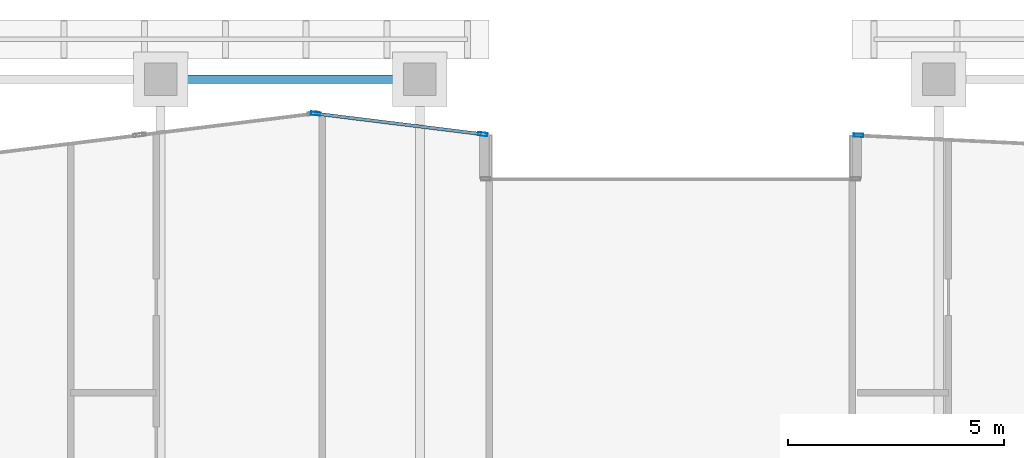
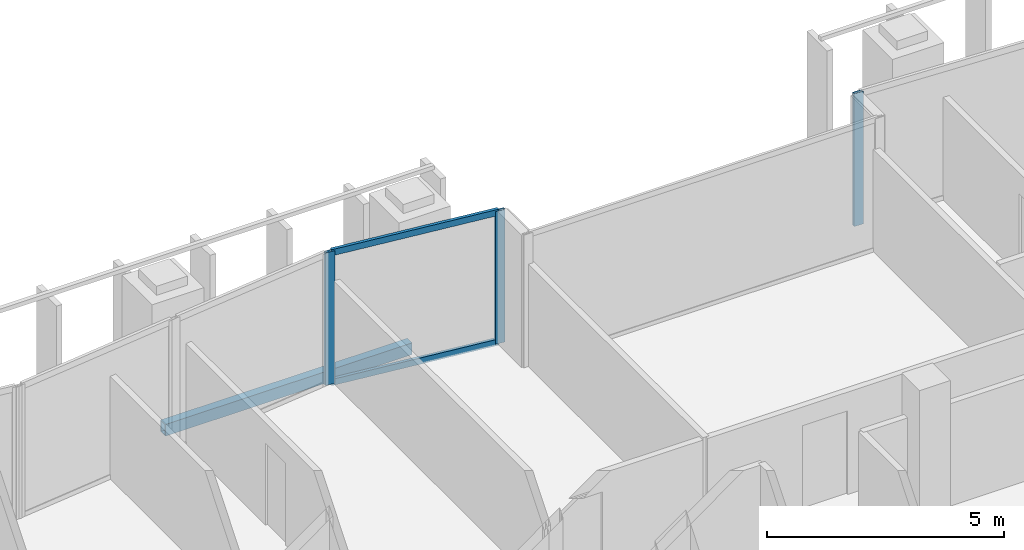
# One storey, part 13 of 32: 5 members, 1 beam, 2 elements without a shape of their own.
"""IFC4 building model written with IfcOpenShell, lengths in metres."""

from ifc_helpers import new_model, si_unit, direction, frame, origin, origin_2d, place, context, subcontext, project, spatial, hollow_rectangle, extrude, material, layer, layer_set, material_profile, profile_set, type_object, element, aggregate, save


model = new_model("IFC4")

# Units and contexts
model_context = context("Model", 3, precision=1e-05, world=origin(), true_north=direction((0.0, 1.0)))
body_context = subcontext(model_context, "Body", "Model", "MODEL_VIEW")
ifc_project = project(units=[si_unit("LENGTHUNIT", "METRE"), si_unit("AREAUNIT", "SQUARE_METRE"), si_unit("VOLUMEUNIT", "CUBIC_METRE"), si_unit("PLANEANGLEUNIT", "RADIAN"), si_unit("MASSUNIT", "GRAM", prefix="KILO")], contexts=[model_context])

# Site, building, storey
site_placement = place(None, origin())
site = spatial("IfcSite", under=ifc_project, at=site_placement, CompositionType="ELEMENT")
building_placement = place(site_placement, origin())
building = spatial("IfcBuilding", under=site, at=building_placement, Name="Tanjung Sevakor Pilgrim Tower", CompositionType="ELEMENT")
storey_placement = place(building_placement, frame((0.0, 0.0, 211.860107421875)))
storey = spatial("IfcBuildingStorey", under=building, at=storey_placement, Name="L59", CompositionType="ELEMENT", Elevation=211.860107421875)

# Beam
ifc_material_1 = material(Name="Steel S355J2", Category="steel")
ifc_material_profile_1 = material_profile(ifc_material_1, hollow_rectangle(XDim=0.199951171875, YDim=0.300048828125, WallThickness=0.012451171875, at=origin_2d()))
ifc_profile_set_1 = profile_set([ifc_material_profile_1], Name="Steel S355J2")
beam_type = type_object("IfcBeamType", Name="BM-B-SP3-RHS_300x200x12.5", PredefinedType="SPANDREL", material=ifc_profile_set_1)
beam_placement = place(storey_placement, frame((36.0, 53.949951171875, -0.3701171875), z_axis=(1.0, 0.0, 0.0), x_axis=(0.0, 1.0, 0.0)))
element("IfcBeam", 1, at=beam_placement, inside=storey, type_object=beam_type, Name="L59 Spandrel MAIN N-04", PredefinedType="SPANDREL", context=body_context, shape_type="SweptSolid", body=[
    extrude(hollow_rectangle(XDim=0.199951171875, YDim=0.300048828125, WallThickness=0.012451171875, at=origin_2d()), origin(), (0.0, 0.0, 1.0), 6.0),
])

# Curtain wall, member
ifc_material_2 = material(Name="Aluminium 6063-T6 and Low-E Glass", Category="aluminium")
ifc_layer = layer(ifc_material_2, 0.199951171875)
ifc_layer_set = layer_set([ifc_layer], Name="CW-SYS-PRAY")
curtain_wall_type = type_object("IfcCurtainWallType", Name="CW-SYS-PRAY", PredefinedType="NOTDEFINED", material=ifc_layer_set)
curtain_wall_1_placement = place(storey_placement, origin())
curtain_wall_1 = element("IfcCurtainWall", 2, at=curtain_wall_1_placement, inside=storey, type_object=curtain_wall_type, Name="L59 Curtain Wall CW-PRY-L59-23", PredefinedType="NOTDEFINED")
ifc_material_3 = material(Name="Aluminium 6063-T6", Category="aluminium")
ifc_material_profile_2 = material_profile(ifc_material_3, hollow_rectangle(XDim=0.074951171875, YDim=0.219970703125, WallThickness=0.0048828125, at=origin_2d()))
ifc_profile_set_2 = profile_set([ifc_material_profile_2], Name="Aluminium 6063-T6")
member_type_1 = type_object("IfcMemberType", Name="TYPE-CWM-2", PredefinedType="MULLION", material=ifc_profile_set_2)
member_1_placement = place(storey_placement, frame((52.1474609375, 52.65283203125, 0.0), z_axis=(0.0, 0.0, 1.0), x_axis=(-0.047788664414, -0.998857469088, 0.0)))
member_1 = element("IfcMember", 3, at=member_1_placement, type_object=member_type_1, Name="CW-PRY mullion 3", PredefinedType="MULLION", context=body_context, shape_type="SweptSolid", body=[
    extrude(hollow_rectangle(XDim=0.074951171875, YDim=0.219970703125, WallThickness=0.0048828125, at=origin_2d()), origin(), (0.0, 0.0, 1.0), 3.409912109375),
])
aggregate(curtain_wall_1, [member_1])

# Curtain wall, members
curtain_wall_2_placement = place(storey_placement, origin())
curtain_wall_2 = element("IfcCurtainWall", 4, at=curtain_wall_2_placement, inside=storey, type_object=curtain_wall_type, Name="L59 Curtain Wall CW-PRY-L59-27", PredefinedType="NOTDEFINED")
member_2_placement = place(storey_placement, frame((43.452880859375, 52.67724609375, 0.0), z_axis=(0.0, 0.0, 1.0), x_axis=(-0.122546482242, -0.992462774964, 0.0)))
member_2 = element("IfcMember", 5, at=member_2_placement, type_object=member_type_1, Name="CW-PRY mullion 1", PredefinedType="MULLION", context=body_context, shape_type="SweptSolid", body=[
    extrude(hollow_rectangle(XDim=0.074951171875, YDim=0.219970703125, WallThickness=0.0048828125, at=origin_2d()), origin(), (0.0, 0.0, 1.0), 3.409912109375),
])
member_3_placement = place(storey_placement, frame((39.587158203125, 53.154541015625, 0.0), z_axis=(0.0, 0.0, 1.0), x_axis=(-0.122546482242, -0.992462774964, 0.0)))
member_3 = element("IfcMember", 6, at=member_3_placement, type_object=member_type_1, Name="CW-PRY mullion 2", PredefinedType="MULLION", context=body_context, shape_type="SweptSolid", body=[
    extrude(hollow_rectangle(XDim=0.074951171875, YDim=0.219970703125, WallThickness=0.0048828125, at=origin_2d()), origin(), (0.0, 0.0, 1.0), 3.409912109375),
])
ifc_material_4 = material(Name="Aluminium 6063-T6", Category="aluminium")
ifc_material_profile_3 = material_profile(ifc_material_4, hollow_rectangle(XDim=0.074951171875, YDim=0.159912109375, WallThickness=0.00439453125, at=origin_2d()))
ifc_profile_set_3 = profile_set([ifc_material_profile_3], Name="Aluminium 6063-T6")
member_type_2 = type_object("IfcMemberType", Name="TYPE-CWT-2", PredefinedType="USERDEFINED", material=ifc_profile_set_3)
member_4_placement = place(storey_placement, frame((43.41552734375, 52.681884765625, 0.037353515625), z_axis=(-0.992465521079, 0.122524240334, 0.0), x_axis=(-0.122524240334, -0.992465521079, 0.0)))
member_4 = element("IfcMember", 7, at=member_4_placement, type_object=member_type_2, Name="CW-PRY transom 1.1", ObjectType="TRANSOM", PredefinedType="USERDEFINED", context=body_context, shape_type="SweptSolid", body=[
    extrude(hollow_rectangle(XDim=0.074951171875, YDim=0.159912109375, WallThickness=0.00439453125, at=origin_2d()), origin(), (0.0, 0.0, 1.0), 3.81982421875),
])
member_5_placement = place(storey_placement, frame((43.41552734375, 52.681884765625, 3.372314453125), z_axis=(-0.992465521079, 0.122524240334, 0.0), x_axis=(-0.122524240334, -0.992465521079, 0.0)))
member_5 = element("IfcMember", 8, at=member_5_placement, type_object=member_type_2, Name="CW-PRY transom 1.2", ObjectType="TRANSOM", PredefinedType="USERDEFINED", context=body_context, shape_type="SweptSolid", body=[
    extrude(hollow_rectangle(XDim=0.074951171875, YDim=0.159912109375, WallThickness=0.00439453125, at=origin_2d()), origin(), (0.0, 0.0, 1.0), 3.81982421875),
])
aggregate(curtain_wall_2, [member_2, member_3, member_4, member_5])

save(model, "model.ifc")
